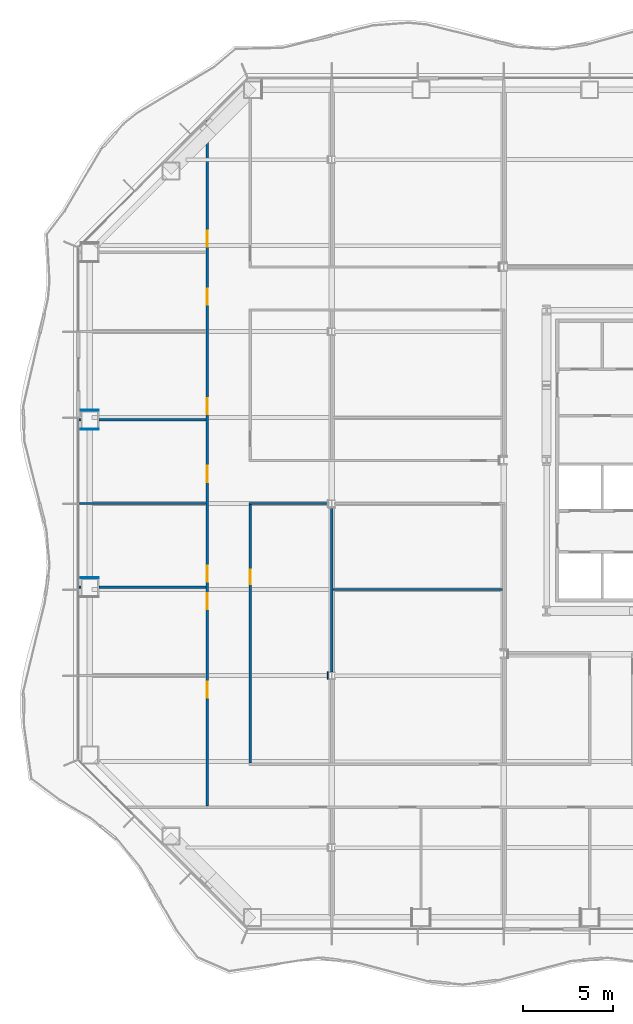
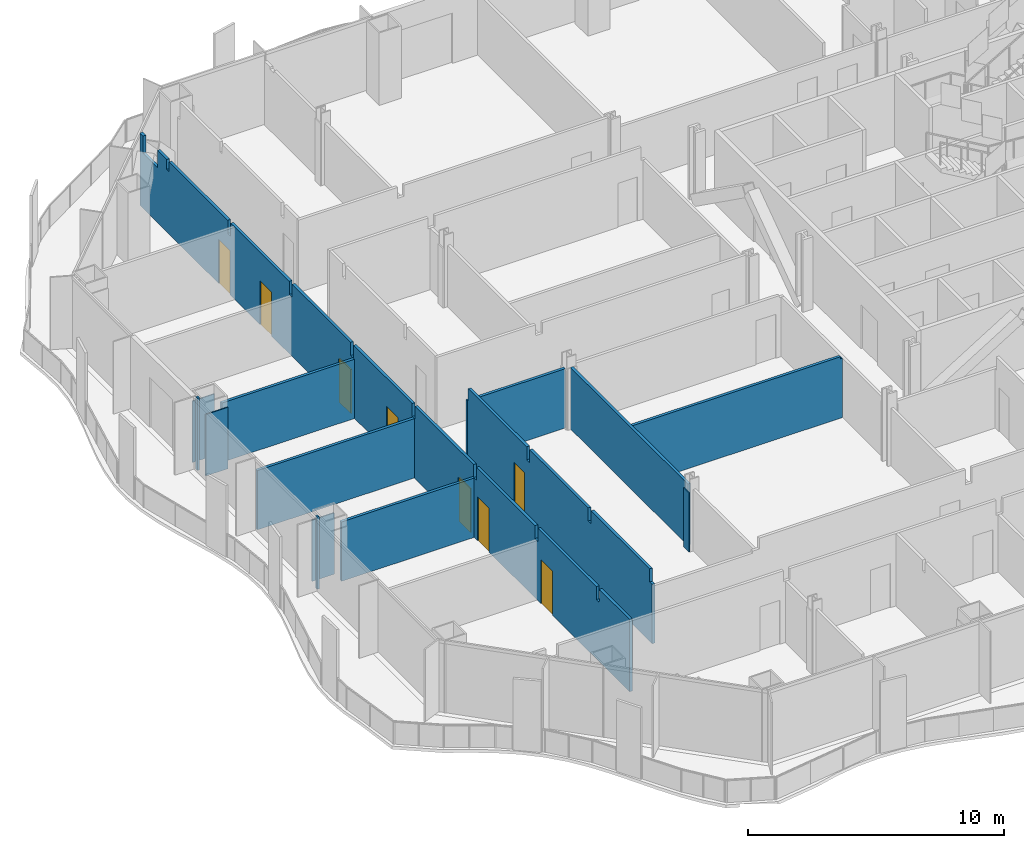
# One storey, part 8 of 21: 14 walls, 8 doors, 8 openings.
"""IFC4 building model written with IfcOpenShell, lengths in metres."""

from ifc_helpers import new_model, si_unit, direction, frame, frame_2d, origin, place, context, subcontext, project, spatial, polyline, rectangle, outline, extrude, material, layer, layer_set, type_object, element, fill, save


model = new_model("IFC4")

# Units and contexts
model_context = context("Model", 3, precision=1e-05, world=origin(), true_north=direction((0.0, 1.0)))
body_context = subcontext(model_context, "Body", "Model", "MODEL_VIEW")
ifc_project = project(units=[si_unit("LENGTHUNIT", "METRE"), si_unit("AREAUNIT", "SQUARE_METRE"), si_unit("VOLUMEUNIT", "CUBIC_METRE"), si_unit("PLANEANGLEUNIT", "RADIAN"), si_unit("MASSUNIT", "GRAM", prefix="KILO")], contexts=[model_context])

# Site, building, storey
site_placement = place(None, origin())
site = spatial("IfcSite", under=ifc_project, at=site_placement, CompositionType="ELEMENT")
building_placement = place(site_placement, origin())
building = spatial("IfcBuilding", under=site, at=building_placement, Name="Cairn Pilgrim Tower", CompositionType="ELEMENT")
storey_placement = place(building_placement, frame((0.0, 0.0, 58.199951171875)))
storey = spatial("IfcBuildingStorey", under=building, at=storey_placement, Name="L12", CompositionType="ELEMENT", Elevation=58.199951171875)

# Wall, openings, doors
ifc_material_1 = material(Name="Gypsum partition")
ifc_layer_1 = layer(ifc_material_1, 0.125)
ifc_layer_set_1 = layer_set([ifc_layer_1], Name="PARTITION 125 DRYWALL EI 60")
wall_type_1 = type_object("IfcWallType", Name="PARTITION 125 DRYWALL EI 60", PredefinedType="PARTITIONING", material=ifc_layer_set_1)
wall_1_placement = place(storey_placement, frame((-21.35009765625, -16.887451171875, 0.0), z_axis=(0.0, 0.0, 1.0), x_axis=(0.0, 1.0, 0.0)))
wall_1 = element("IfcWall", 1, at=wall_1_placement, inside=storey, type_object=wall_type_1, Name="PARTITION W014", PredefinedType="PARTITIONING", context=body_context, shape_type="SweptSolid", body=[
    extrude(outline(polyline([(0.0, 0.0), (38.276123046875, 0.0), (38.276123046875, 3.449951171875), (38.022216796875, 3.449951171875), (38.020263671875, 2.630126953125), (36.9072265625, 2.630126953125), (36.9052734375, 3.449951171875), (36.1826171875, 3.449951171875), (36.180419921875, 2.97998046875), (35.992431640625, 2.97998046875), (35.990478515625, 3.449951171875), (31.3974609375, 3.449951171875), (31.3955078125, 2.830078125), (31.177490234375, 2.830078125), (31.175537109375, 3.449951171875), (26.597412109375, 3.449951171875), (26.595458984375, 2.830078125), (26.37744140625, 2.830078125), (26.37548828125, 3.449951171875), (21.797607421875, 3.449951171875), (21.79541015625, 2.830078125), (21.577392578125, 2.830078125), (21.575439453125, 3.449951171875), (16.99755859375, 3.449951171875), (16.99560546875, 2.830078125), (16.777587890625, 2.830078125), (16.775390625, 3.449951171875), (12.197509765625, 3.449951171875), (12.195556640625, 2.830078125), (11.9775390625, 2.830078125), (11.9755859375, 3.449951171875), (7.3974609375, 3.449951171875), (7.3955078125, 2.830078125), (7.177490234375, 2.830078125), (7.175537109375, 3.449951171875), (2.597412109375, 3.449951171875), (2.595458984375, 2.830078125), (2.37744140625, 2.830078125), (2.37548828125, 3.449951171875), (0.0, 3.449951171875), (0.0, 0.0)])), frame((0.0, 0.0625, 0.0), z_axis=(0.0, -1.0, 0.0), x_axis=(1.0, 0.0, 0.0)), (0.0, 0.0, 1.0), 0.125),
])
opening_1_placement = place(wall_1_placement, frame((6.03759765625, 0.0, 0.0)))
opening_1 = element("IfcOpeningElement", 2, at=opening_1_placement, cuts=wall_1, Name="Opening 1209", PredefinedType="OPENING", context=body_context, shape_type="SweptSolid", body=[
    extrude(rectangle(XDim=0.89990234375, YDim=2.10009765625, at=frame_2d((0.449951171875, 1.050048828125))), frame((0.0, 0.072509765625, 0.0), z_axis=(0.0, -1.0, 0.0), x_axis=(1.0, 0.0, 0.0)), (0.0, 0.0, 1.0), 0.14501953125),
])
opening_2_placement = place(wall_1_placement, frame((10.987548828125, 0.0, 0.0)))
opening_2 = element("IfcOpeningElement", 3, at=opening_2_placement, cuts=wall_1, Name="Opening 1210", PredefinedType="OPENING", context=body_context, shape_type="SweptSolid", body=[
    extrude(rectangle(XDim=0.89990234375, YDim=2.10009765625, at=frame_2d((0.449951171875, 1.050048828125))), frame((0.0, 0.072509765625, 0.0), z_axis=(0.0, -1.0, 0.0), x_axis=(1.0, 0.0, 0.0)), (0.0, 0.0, 1.0), 0.14501953125),
])
opening_3_placement = place(wall_1_placement, frame((12.511474609375, 0.0, 0.0)))
opening_3 = element("IfcOpeningElement", 4, at=opening_3_placement, cuts=wall_1, Name="Opening 1211", PredefinedType="OPENING", context=body_context, shape_type="SweptSolid", body=[
    extrude(rectangle(XDim=0.89990234375, YDim=2.10009765625, at=frame_2d((0.449951171875, 1.050048828125))), frame((0.0, 0.072509765625, 0.0), z_axis=(0.0, -1.0, 0.0), x_axis=(1.0, 0.0, 0.0)), (0.0, 0.0, 1.0), 0.14501953125),
])
opening_4_placement = place(wall_1_placement, frame((18.08740234375, 0.0, 0.0)))
opening_4 = element("IfcOpeningElement", 5, at=opening_4_placement, cuts=wall_1, Name="Opening 1212", PredefinedType="OPENING", context=body_context, shape_type="SweptSolid", body=[
    extrude(rectangle(XDim=0.89990234375, YDim=2.10009765625, at=frame_2d((0.449951171875, 1.050048828125))), frame((0.0, 0.072509765625, 0.0), z_axis=(0.0, -1.0, 0.0), x_axis=(1.0, 0.0, 0.0)), (0.0, 0.0, 1.0), 0.14501953125),
])
opening_5_placement = place(wall_1_placement, frame((21.863525390625, 0.0, 0.0)))
opening_5 = element("IfcOpeningElement", 6, at=opening_5_placement, cuts=wall_1, Name="Opening 1213", PredefinedType="OPENING", context=body_context, shape_type="SweptSolid", body=[
    extrude(rectangle(XDim=0.89990234375, YDim=2.10009765625, at=frame_2d((0.449951171875, 1.050048828125))), frame((0.0, 0.072509765625, 0.0), z_axis=(0.0, -1.0, 0.0), x_axis=(1.0, 0.0, 0.0)), (0.0, 0.0, 1.0), 0.14501953125),
])
opening_6_placement = place(wall_1_placement, frame((27.987548828125, 0.0, 0.0)))
opening_6 = element("IfcOpeningElement", 7, at=opening_6_placement, cuts=wall_1, Name="Opening 1214", PredefinedType="OPENING", context=body_context, shape_type="SweptSolid", body=[
    extrude(rectangle(XDim=0.89990234375, YDim=2.10009765625, at=frame_2d((0.449951171875, 1.050048828125))), frame((0.0, 0.072509765625, 0.0), z_axis=(0.0, -1.0, 0.0), x_axis=(1.0, 0.0, 0.0)), (0.0, 0.0, 1.0), 0.14501953125),
])
opening_7_placement = place(wall_1_placement, frame((31.214599609375, 0.0, 0.0)))
opening_7 = element("IfcOpeningElement", 8, at=opening_7_placement, cuts=wall_1, Name="Opening 1215", PredefinedType="OPENING", context=body_context, shape_type="SweptSolid", body=[
    extrude(rectangle(XDim=0.89990234375, YDim=2.10009765625, at=frame_2d((0.449951171875, 1.050048828125))), frame((0.0, 0.072509765625, 0.0), z_axis=(0.0, -1.0, 0.0), x_axis=(1.0, 0.0, 0.0)), (0.0, 0.0, 1.0), 0.14501953125),
])
ifc_material_2 = material(Name="Steel-faced fire door leaf", Category="steel")
door_type_1 = type_object("IfcDoorType", Name="FIRE DOOR 900x2100 FD30S", OperationType="NOTDEFINED", PredefinedType="DOOR", material=ifc_material_2)
door_1_placement = place(opening_1_placement, origin())
door_1 = element("IfcDoor", 9, at=door_1_placement, inside=storey, type_object=door_type_1, Name="DOOR 1209", OperationType="SINGLE_SWING_RIGHT", OverallHeight=2.10009765625, OverallWidth=0.89990234375, PredefinedType="DOOR", context=body_context, shape_type="SweptSolid", body=[
    extrude(rectangle(XDim=0.89990234375, YDim=2.10009765625, at=frame_2d((0.449951171875, 1.050048828125))), frame((0.0, 0.02490234375, 0.0), z_axis=(0.0, -1.0, 0.0), x_axis=(1.0, 0.0, 0.0)), (0.0, 0.0, 1.0), 0.050048828125),
])
fill(opening_1, door_1)
door_2_placement = place(opening_2_placement, origin())
door_2 = element("IfcDoor", 10, at=door_2_placement, inside=storey, type_object=door_type_1, Name="DOOR 1210", OperationType="SINGLE_SWING_LEFT", OverallHeight=2.10009765625, OverallWidth=0.89990234375, PredefinedType="DOOR", context=body_context, shape_type="SweptSolid", body=[
    extrude(rectangle(XDim=0.89990234375, YDim=2.10009765625, at=frame_2d((0.449951171875, 1.050048828125))), frame((0.0, 0.02490234375, 0.0), z_axis=(0.0, -1.0, 0.0), x_axis=(1.0, 0.0, 0.0)), (0.0, 0.0, 1.0), 0.050048828125),
])
fill(opening_2, door_2)
door_3_placement = place(opening_3_placement, origin())
door_3 = element("IfcDoor", 11, at=door_3_placement, inside=storey, type_object=door_type_1, Name="DOOR 1211", OperationType="SINGLE_SWING_RIGHT", OverallHeight=2.10009765625, OverallWidth=0.89990234375, PredefinedType="DOOR", context=body_context, shape_type="SweptSolid", body=[
    extrude(rectangle(XDim=0.89990234375, YDim=2.10009765625, at=frame_2d((0.449951171875, 1.050048828125))), frame((0.0, 0.02490234375, 0.0), z_axis=(0.0, -1.0, 0.0), x_axis=(1.0, 0.0, 0.0)), (0.0, 0.0, 1.0), 0.050048828125),
])
fill(opening_3, door_3)
door_4_placement = place(opening_4_placement, origin())
door_4 = element("IfcDoor", 12, at=door_4_placement, inside=storey, type_object=door_type_1, Name="DOOR 1212", OperationType="SINGLE_SWING_LEFT", OverallHeight=2.10009765625, OverallWidth=0.89990234375, PredefinedType="DOOR", context=body_context, shape_type="SweptSolid", body=[
    extrude(rectangle(XDim=0.89990234375, YDim=2.10009765625, at=frame_2d((0.449951171875, 1.050048828125))), frame((0.0, 0.02490234375, 0.0), z_axis=(0.0, -1.0, 0.0), x_axis=(1.0, 0.0, 0.0)), (0.0, 0.0, 1.0), 0.050048828125),
])
fill(opening_4, door_4)
door_5_placement = place(opening_5_placement, origin())
door_5 = element("IfcDoor", 13, at=door_5_placement, inside=storey, type_object=door_type_1, Name="DOOR 1213", OperationType="SINGLE_SWING_RIGHT", OverallHeight=2.10009765625, OverallWidth=0.89990234375, PredefinedType="DOOR", context=body_context, shape_type="SweptSolid", body=[
    extrude(rectangle(XDim=0.89990234375, YDim=2.10009765625, at=frame_2d((0.449951171875, 1.050048828125))), frame((0.0, 0.02490234375, 0.0), z_axis=(0.0, -1.0, 0.0), x_axis=(1.0, 0.0, 0.0)), (0.0, 0.0, 1.0), 0.050048828125),
])
fill(opening_5, door_5)
door_6_placement = place(opening_6_placement, origin())
door_6 = element("IfcDoor", 14, at=door_6_placement, inside=storey, type_object=door_type_1, Name="DOOR 1214", OperationType="SINGLE_SWING_LEFT", OverallHeight=2.10009765625, OverallWidth=0.89990234375, PredefinedType="DOOR", context=body_context, shape_type="SweptSolid", body=[
    extrude(rectangle(XDim=0.89990234375, YDim=2.10009765625, at=frame_2d((0.449951171875, 1.050048828125))), frame((0.0, 0.02490234375, 0.0), z_axis=(0.0, -1.0, 0.0), x_axis=(1.0, 0.0, 0.0)), (0.0, 0.0, 1.0), 0.050048828125),
])
fill(opening_6, door_6)
door_7_placement = place(opening_7_placement, origin())
door_7 = element("IfcDoor", 15, at=door_7_placement, inside=storey, type_object=door_type_1, Name="DOOR 1215", OperationType="SINGLE_SWING_RIGHT", OverallHeight=2.10009765625, OverallWidth=0.89990234375, PredefinedType="DOOR", context=body_context, shape_type="SweptSolid", body=[
    extrude(rectangle(XDim=0.89990234375, YDim=2.10009765625, at=frame_2d((0.449951171875, 1.050048828125))), frame((0.0, 0.02490234375, 0.0), z_axis=(0.0, -1.0, 0.0), x_axis=(1.0, 0.0, 0.0)), (0.0, 0.0, 1.0), 0.050048828125),
])
fill(opening_7, door_7)

# Wall, opening, door
wall_2_placement = place(storey_placement, frame((-18.949951171875, -14.487548828125, 0.0), z_axis=(0.0, 0.0, 1.0), x_axis=(0.0, 1.0, 0.0)))
wall_2 = element("IfcWall", 16, at=wall_2_placement, inside=storey, type_object=wall_type_1, Name="PARTITION W018", PredefinedType="PARTITIONING", context=body_context, shape_type="SweptSolid", body=[
    extrude(outline(polyline([(0.0, 0.0), (14.425048828125, 0.0), (14.425048828125, 2.830078125), (14.37744140625, 2.830078125), (14.37548828125, 3.449951171875), (9.797607421875, 3.449951171875), (9.79541015625, 2.830078125), (9.577392578125, 2.830078125), (9.575439453125, 3.449951171875), (4.99755859375, 3.449951171875), (4.99560546875, 2.830078125), (4.777587890625, 2.830078125), (4.775390625, 3.449951171875), (0.197509765625, 3.449951171875), (0.195556640625, 2.830078125), (0.0, 2.830078125), (0.0, 0.0)])), frame((0.0, 0.0625, 0.0), z_axis=(0.0, -1.0, 0.0), x_axis=(1.0, 0.0, 0.0)), (0.0, 0.0, 1.0), 0.125),
])
opening_8_placement = place(wall_2_placement, frame((9.987548828125, 0.0, 0.0)))
opening_8 = element("IfcOpeningElement", 17, at=opening_8_placement, cuts=wall_2, Name="Opening 1232", PredefinedType="OPENING", context=body_context, shape_type="SweptSolid", body=[
    extrude(rectangle(XDim=0.800048828125, YDim=2.10009765625, at=frame_2d((0.39990234375, 1.050048828125))), frame((0.0, 0.072509765625, 0.0), z_axis=(0.0, -1.0, 0.0), x_axis=(1.0, 0.0, 0.0)), (0.0, 0.0, 1.0), 0.14501953125),
])
door_type_2 = type_object("IfcDoorType", Name="FIRE DOOR 800x2100 FD30S", OperationType="NOTDEFINED", PredefinedType="DOOR", material=ifc_material_2)
door_8_placement = place(opening_8_placement, frame((0.800048828125, 0.0, 0.0), z_axis=(0.0, 0.0, 1.0), x_axis=(-1.0, 0.0, 0.0)))
door_8 = element("IfcDoor", 18, at=door_8_placement, inside=storey, type_object=door_type_2, Name="DOOR 1232", OperationType="SINGLE_SWING_LEFT", OverallHeight=2.10009765625, OverallWidth=0.800048828125, PredefinedType="DOOR", context=body_context, shape_type="SweptSolid", body=[
    extrude(rectangle(XDim=0.800048828125, YDim=2.10009765625, at=frame_2d((0.39990234375, 1.050048828125))), frame((0.0, 0.02490234375, 0.0), z_axis=(0.0, -1.0, 0.0), x_axis=(1.0, 0.0, 0.0)), (0.0, 0.0, 1.0), 0.050048828125),
])
fill(opening_8, door_8)

# Walls
wall_3_placement = place(storey_placement, frame((-14.39990234375, -9.387451171875, 0.0), z_axis=(0.0, 0.0, 1.0), x_axis=(0.0, 1.0, 0.0)))
element("IfcWall", 19, at=wall_3_placement, inside=storey, type_object=wall_type_1, Name="PARTITION W030", PredefinedType="PARTITIONING", context=body_context, shape_type="SweptSolid", body=[
    extrude(rectangle(XDim=9.175048828125, YDim=0.125, at=frame_2d((4.58740234375, 0.0))), origin(), (0.0, 0.0, 1.0), 2.929931640625),
])
wall_4_placement = place(storey_placement, frame((-14.33740234375, -4.800048828125, 0.0), z_axis=(0.0, 0.0, 1.0), x_axis=(1.0, 0.0, 0.0)))
element("IfcWall", 20, at=wall_4_placement, inside=storey, type_object=wall_type_1, Name="PARTITION W037", PredefinedType="PARTITIONING", context=body_context, shape_type="SweptSolid", body=[
    extrude(outline(polyline([(0.0, 0.0), (9.474853515625, 0.0), (9.47509765625, 2.830078125), (9.387451171875, 2.830078125), (9.385498046875, 2.929931640625), (0.0, 2.929931640625), (0.0, 0.0)])), frame((0.0, 0.0625, 0.0), z_axis=(0.0, -1.0, 0.0), x_axis=(1.0, 0.0, 0.0)), (0.0, 0.0, 1.0), 0.125),
])
wall_5_placement = place(storey_placement, frame((-28.5029296875, -4.676025390625, 0.0), z_axis=(0.0, 0.0, 1.0), x_axis=(1.0, 0.0, 0.0)))
element("IfcWall", 21, at=wall_5_placement, inside=storey, type_object=wall_type_1, Name="PARTITION W038", PredefinedType="PARTITIONING", context=body_context, shape_type="SweptSolid", body=[
    extrude(rectangle(XDim=0.10302734375, YDim=0.125, at=frame_2d((0.051513671875, 0.0))), origin(), (0.0, 0.0, 1.0), 3.449951171875),
])
wall_6_placement = place(storey_placement, frame((-27.39990234375, -4.676025390625, 0.0), z_axis=(0.0, 0.0, 1.0), x_axis=(1.0, 0.0, 0.0)))
element("IfcWall", 22, at=wall_6_placement, inside=storey, type_object=wall_type_1, Name="PARTITION W039", PredefinedType="PARTITIONING", context=body_context, shape_type="SweptSolid", body=[
    extrude(rectangle(XDim=5.9873046875, YDim=0.125, at=frame_2d((2.99365234375, 0.0))), origin(), (0.0, 0.0, 1.0), 2.830078125),
])
wall_7_placement = place(storey_placement, frame((-28.489990234375, 0.0, 0.0), z_axis=(0.0, 0.0, 1.0), x_axis=(1.0, 0.0, 0.0)))
element("IfcWall", 23, at=wall_7_placement, inside=storey, type_object=wall_type_1, Name="PARTITION W044", PredefinedType="PARTITIONING", context=body_context, shape_type="SweptSolid", body=[
    extrude(rectangle(XDim=7.077392578125, YDim=0.125, at=frame_2d((3.53857421875, 0.0))), origin(), (0.0, 0.0, 1.0), 2.830078125),
])
wall_8_placement = place(storey_placement, frame((-19.012451171875, 0.0, 0.0), z_axis=(0.0, 0.0, 1.0), x_axis=(1.0, 0.0, 0.0)))
element("IfcWall", 24, at=wall_8_placement, inside=storey, type_object=wall_type_1, Name="PARTITION W045", PredefinedType="PARTITIONING", context=body_context, shape_type="SweptSolid", body=[
    extrude(rectangle(XDim=4.407958984375, YDim=0.125, at=frame_2d((2.2041015625, 0.0))), origin(), (0.0, 0.0, 1.0), 2.830078125),
])
wall_9_placement = place(storey_placement, frame((-28.5029296875, 4.676025390625, 0.0), z_axis=(0.0, 0.0, 1.0), x_axis=(1.0, 0.0, 0.0)))
element("IfcWall", 25, at=wall_9_placement, inside=storey, type_object=wall_type_1, Name="PARTITION W055", PredefinedType="PARTITIONING", context=body_context, shape_type="SweptSolid", body=[
    extrude(rectangle(XDim=0.10302734375, YDim=0.125, at=frame_2d((0.051513671875, 0.0))), origin(), (0.0, 0.0, 1.0), 3.449951171875),
])
wall_10_placement = place(storey_placement, frame((-27.39990234375, 4.676025390625, 0.0), z_axis=(0.0, 0.0, 1.0), x_axis=(1.0, 0.0, 0.0)))
element("IfcWall", 26, at=wall_10_placement, inside=storey, type_object=wall_type_1, Name="PARTITION W056", PredefinedType="PARTITIONING", context=body_context, shape_type="SweptSolid", body=[
    extrude(rectangle(XDim=5.9873046875, YDim=0.125, at=frame_2d((2.99365234375, 0.0))), origin(), (0.0, 0.0, 1.0), 2.830078125),
])
ifc_layer_2 = layer(ifc_material_1, 0.050048828125)
ifc_layer_set_2 = layer_set([ifc_layer_2], Name="PARTITION 50 DRYWALL EI 60")
wall_type_2 = type_object("IfcWallType", Name="PARTITION 50 DRYWALL EI 60", PredefinedType="PARTITIONING", material=ifc_layer_set_2)
wall_11_placement = place(storey_placement, frame((-14.62939453125, -9.8125, 0.0), z_axis=(0.0, 0.0, 1.0), x_axis=(0.0, 1.0, 0.0)))
element("IfcWall", 27, at=wall_11_placement, inside=storey, type_object=wall_type_2, Name="COLUMN CASING WC12", PredefinedType="PARTITIONING", context=body_context, shape_type="SweptSolid", body=[
    extrude(rectangle(XDim=0.425048828125, YDim=0.050048828125, at=frame_2d((0.21240234375, 0.0))), origin(), (0.0, 0.0, 1.0), 2.830078125),
])
for number, where, z_axis, x_axis, name in (
    (28, (-28.39990234375, -4.150634765625, 0.0), (0.0, 0.0, 1.0), (1.0, 0.0, 0.0), "COLUMN CASING WC17"),
    (29, (-28.39990234375, 5.20068359375, 0.0), (0.0, 0.0, 1.0), (1.0, 0.0, 0.0), "COLUMN CASING WC26"),
    (30, (-28.39990234375, 4.150634765625, 0.0), (0.0, 0.0, 1.0), (1.0, 0.0, 0.0), "COLUMN CASING WC27"),
):
    element("IfcWall", number, at=place(storey_placement, frame(where, z_axis=z_axis, x_axis=x_axis)), inside=storey, type_object=wall_type_2, Name=name, PredefinedType="PARTITIONING", context=body_context, shape_type="SweptSolid", body=[
        extrude(rectangle(XDim=1.0, YDim=0.050048828125, at=frame_2d((0.5, 0.0))), origin(), (0.0, 0.0, 1.0), 2.929931640625),
    ])

save(model, "model.ifc")
